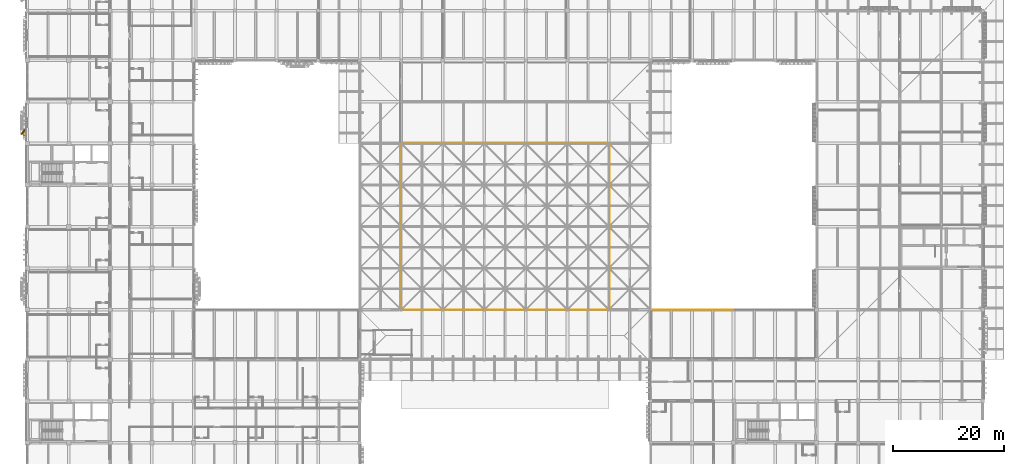
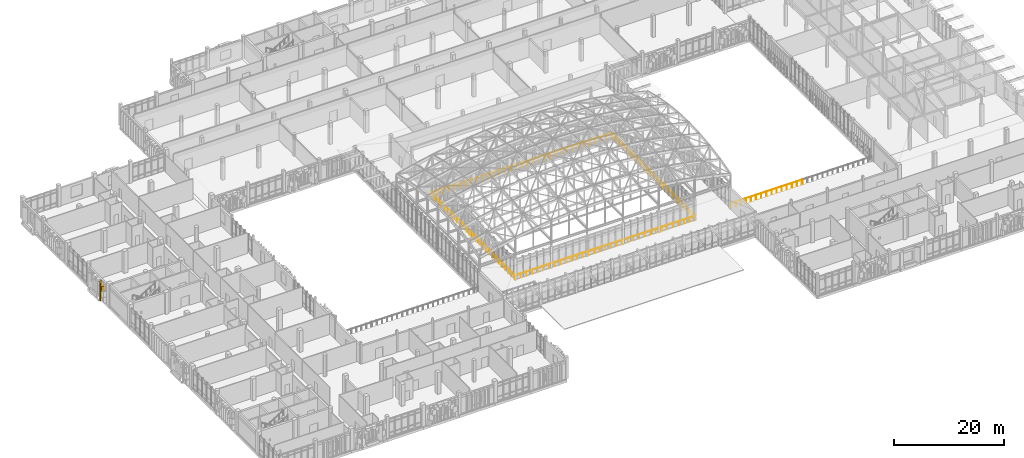
# One storey, part 118 of 131: 6 railings, 2 coverings.
"""IFC4 building model written with IfcOpenShell, lengths in metres."""

from ifc_helpers import new_model, si_unit, direction, frame, origin, origin_2d, place, context, subcontext, project, spatial, rectangle, circle, extrude, material, layer, layer_set, type_object, element, save


model = new_model("IFC4")

# Units and contexts
model_context = context("Model", 3, precision=1e-05, world=origin(), true_north=direction((0.0, 1.0)))
body_context = subcontext(model_context, "Body", "Model", "MODEL_VIEW")
ifc_project = project(units=[si_unit("LENGTHUNIT", "METRE"), si_unit("AREAUNIT", "SQUARE_METRE"), si_unit("VOLUMEUNIT", "CUBIC_METRE"), si_unit("PLANEANGLEUNIT", "RADIAN"), si_unit("MASSUNIT", "GRAM", prefix="KILO")], contexts=[model_context])

# Site, building, storey
site_placement = place(None, origin())
site = spatial("IfcSite", under=ifc_project, at=site_placement, CompositionType="ELEMENT")
building_placement = place(site_placement, origin())
building = spatial("IfcBuilding", under=site, at=building_placement, Name="Dalvernix Boulevard General Hospital", CompositionType="ELEMENT")
storey_placement = place(building_placement, frame((0.0, 0.0, 9.300048828125)))
storey = spatial("IfcBuildingStorey", under=building, at=storey_placement, Name="L02", CompositionType="ELEMENT", Elevation=9.300048828125)

# Coverings
ifc_material_1 = material(Name="Pressed Catalan clay brick and dressed limestone parabolic archivolt", Category="masonry")
ifc_layer_1 = layer(ifc_material_1, 0.419921875)
ifc_layer_set_1 = layer_set([ifc_layer_1], Name="Pressed Catalan clay brick and dressed limestone parabolic archivolt (COV-ARC-01)")
covering_type_1 = type_object("IfcCoveringType", Name="COV-ARC-01", PredefinedType="CLADDING", material=ifc_layer_set_1)
covering_1_placement = place(storey_placement, frame((-0.485107421875, 63.395751953125, 2.0791015625), z_axis=(0.0, 0.0, 1.0), x_axis=(0.0, 1.0, 0.0)))
element("IfcCovering", 1, at=covering_1_placement, inside=storey, type_object=covering_type_1, Name="L02 Catalan parabolic archivolt voussoir W 0-8-2", PredefinedType="CLADDING", context=body_context, shape_type="SweptSolid", body=[
    extrude(rectangle(XDim=0.8623046875, YDim=0.659912109375, at=origin_2d()), origin(), (0.0, 0.0, 1.0), 1.144287109375),
])
ifc_material_2 = material(Name="Polychrome glazed Catalan trencadis ceramic faceted bay spandrel")
ifc_layer_2 = layer(ifc_material_2, 0.280029296875)
ifc_layer_set_2 = layer_set([ifc_layer_2], Name="Polychrome glazed Catalan trencadis ceramic faceted bay spandrel (COV-BAY-01)")
covering_type_2 = type_object("IfcCoveringType", Name="COV-BAY-01", PredefinedType="CLADDING", material=ifc_layer_set_2)
covering_2_placement = place(storey_placement, frame((-0.735107421875, 63.612548828125, 0.079833984375), z_axis=(0.0, 0.0, 1.0), x_axis=(0.559192903471, 0.829037572555, 0.0)))
element("IfcCovering", 2, at=covering_2_placement, inside=storey, type_object=covering_type_2, Name="L02 projecting faceted Catalan bay cheek W 0-8-L", PredefinedType="CLADDING", context=body_context, shape_type="SweptSolid", body=[
    extrude(rectangle(XDim=1.14990234375, YDim=0.239990234375, at=origin_2d()), origin(), (0.0, 0.0, 1.0), 3.7900390625),
])

# Railings
ifc_material_3 = material(Name="Powder-coated galvanized steel balustrade", Category="steel")
railing_type_1 = type_object("IfcRailingType", Name="RL-GR-EXT1", PredefinedType="BALUSTRADE", material=ifc_material_3)
railing_1_placement = place(storey_placement, frame((120.0400390625, 31.5, 0.0)))
element("IfcRailing", 3, at=railing_1_placement, inside=storey, type_object=railing_type_1, Name="L02 terrace safety balustrade 5", PredefinedType="BALUSTRADE", context=body_context, shape_type="SweptSolid", body=[
    extrude(circle(Radius=0.02392578125, at=origin_2d()), frame((0.0, 0.0, 1.09619140625), z_axis=(1.0, 0.0, 0.0), x_axis=(0.0, 1.0, 0.0)), (0.0, 0.0, 1.0), 7.419921875),
    extrude(circle(Radius=0.02099609375, at=origin_2d()), origin(), (0.0, 0.0, 1.0), 1.072021484375),
    extrude(circle(Radius=0.02099609375, at=origin_2d()), frame((1.06005859375, 0.0, 0.0)), (0.0, 0.0, 1.0), 1.072021484375),
    extrude(circle(Radius=0.02099609375, at=origin_2d()), frame((2.119873046875, 0.0, 0.0)), (0.0, 0.0, 1.0), 1.072021484375),
    extrude(circle(Radius=0.02099609375, at=origin_2d()), frame((3.179931640625, 0.0, 0.0)), (0.0, 0.0, 1.0), 1.072021484375),
    extrude(circle(Radius=0.02099609375, at=origin_2d()), frame((4.239990234375, 0.0, 0.0)), (0.0, 0.0, 1.0), 1.072021484375),
    extrude(circle(Radius=0.02099609375, at=origin_2d()), frame((5.300048828125, 0.0, 0.0)), (0.0, 0.0, 1.0), 1.072021484375),
    extrude(circle(Radius=0.02099609375, at=origin_2d()), frame((6.35986328125, 0.0, 0.0)), (0.0, 0.0, 1.0), 1.072021484375),
    extrude(circle(Radius=0.02099609375, at=origin_2d()), frame((7.419921875, 0.0, 0.0)), (0.0, 0.0, 1.0), 1.072021484375),
])
railing_2_placement = place(storey_placement, frame((112.590087890625, 31.5, 0.0)))
element("IfcRailing", 4, at=railing_2_placement, inside=storey, type_object=railing_type_1, Name="L02 terrace safety balustrade 8", PredefinedType="BALUSTRADE", context=body_context, shape_type="SweptSolid", body=[
    extrude(circle(Radius=0.02392578125, at=origin_2d()), frame((0.0, 0.0, 1.09619140625), z_axis=(1.0, 0.0, 0.0), x_axis=(0.0, 1.0, 0.0)), (0.0, 0.0, 1.0), 7.369873046875),
    extrude(circle(Radius=0.02099609375, at=origin_2d()), origin(), (0.0, 0.0, 1.0), 1.072021484375),
    extrude(circle(Radius=0.02099609375, at=origin_2d()), frame((1.052734375, 0.0, 0.0)), (0.0, 0.0, 1.0), 1.072021484375),
    extrude(circle(Radius=0.02099609375, at=origin_2d()), frame((2.105712890625, 0.0, 0.0)), (0.0, 0.0, 1.0), 1.072021484375),
    extrude(circle(Radius=0.02099609375, at=origin_2d()), frame((3.158447265625, 0.0, 0.0)), (0.0, 0.0, 1.0), 1.072021484375),
    extrude(circle(Radius=0.02099609375, at=origin_2d()), frame((4.21142578125, 0.0, 0.0)), (0.0, 0.0, 1.0), 1.072021484375),
    extrude(circle(Radius=0.02099609375, at=origin_2d()), frame((5.26416015625, 0.0, 0.0)), (0.0, 0.0, 1.0), 1.072021484375),
    extrude(circle(Radius=0.02099609375, at=origin_2d()), frame((6.317138671875, 0.0, 0.0)), (0.0, 0.0, 1.0), 1.072021484375),
    extrude(circle(Radius=0.02099609375, at=origin_2d()), frame((7.369873046875, 0.0, 0.0)), (0.0, 0.0, 1.0), 1.072021484375),
])
ifc_material_4 = material(Name="Brushed stainless steel balustrade", Category="steel")
railing_type_2 = type_object("IfcRailingType", Name="RL-GR-INT1", PredefinedType="BALUSTRADE", material=ifc_material_4)
railing_3_placement = place(storey_placement, frame((67.419921875, 31.419921875, 0.0)))
element("IfcRailing", 5, at=railing_3_placement, inside=storey, type_object=railing_type_2, Name="L02 Botanical Conservatory atrium void safety balustrade S", PredefinedType="BALUSTRADE", context=body_context, shape_type="SweptSolid", body=[
    extrude(circle(Radius=0.02392578125, at=origin_2d()), frame((0.0, 0.0, 1.09619140625), z_axis=(1.0, 0.0, 0.0), x_axis=(0.0, 1.0, 0.0)), (0.0, 0.0, 1.0), 37.66015625),
    extrude(circle(Radius=0.02099609375, at=origin_2d()), origin(), (0.0, 0.0, 1.0), 1.072021484375),
    extrude(circle(Radius=0.02099609375, at=origin_2d()), frame((1.1767578125, 0.0, 0.0)), (0.0, 0.0, 1.0), 1.072021484375),
    extrude(circle(Radius=0.02099609375, at=origin_2d()), frame((2.353759765625, 0.0, 0.0)), (0.0, 0.0, 1.0), 1.072021484375),
    extrude(circle(Radius=0.02099609375, at=origin_2d()), frame((3.53076171875, 0.0, 0.0)), (0.0, 0.0, 1.0), 1.072021484375),
    extrude(circle(Radius=0.02099609375, at=origin_2d()), frame((4.70751953125, 0.0, 0.0)), (0.0, 0.0, 1.0), 1.072021484375),
    extrude(circle(Radius=0.02099609375, at=origin_2d()), frame((5.88427734375, 0.0, 0.0)), (0.0, 0.0, 1.0), 1.072021484375),
    extrude(circle(Radius=0.02099609375, at=origin_2d()), frame((7.061279296875, 0.0, 0.0)), (0.0, 0.0, 1.0), 1.072021484375),
    extrude(circle(Radius=0.02099609375, at=origin_2d()), frame((8.23828125, 0.0, 0.0)), (0.0, 0.0, 1.0), 1.072021484375),
    extrude(circle(Radius=0.02099609375, at=origin_2d()), frame((9.4150390625, 0.0, 0.0)), (0.0, 0.0, 1.0), 1.072021484375),
    extrude(circle(Radius=0.02099609375, at=origin_2d()), frame((10.591796875, 0.0, 0.0)), (0.0, 0.0, 1.0), 1.072021484375),
    extrude(circle(Radius=0.02099609375, at=origin_2d()), frame((11.768798828125, 0.0, 0.0)), (0.0, 0.0, 1.0), 1.072021484375),
    extrude(circle(Radius=0.02099609375, at=origin_2d()), frame((12.94580078125, 0.0, 0.0)), (0.0, 0.0, 1.0), 1.072021484375),
    extrude(circle(Radius=0.02099609375, at=origin_2d()), frame((14.12255859375, 0.0, 0.0)), (0.0, 0.0, 1.0), 1.072021484375),
    extrude(circle(Radius=0.02099609375, at=origin_2d()), frame((15.29931640625, 0.0, 0.0)), (0.0, 0.0, 1.0), 1.072021484375),
    extrude(circle(Radius=0.02099609375, at=origin_2d()), frame((16.476318359375, 0.0, 0.0)), (0.0, 0.0, 1.0), 1.072021484375),
    extrude(circle(Radius=0.02099609375, at=origin_2d()), frame((17.6533203125, 0.0, 0.0)), (0.0, 0.0, 1.0), 1.072021484375),
    extrude(circle(Radius=0.02099609375, at=origin_2d()), frame((18.830078125, 0.0, 0.0)), (0.0, 0.0, 1.0), 1.072021484375),
    extrude(circle(Radius=0.02099609375, at=origin_2d()), frame((20.0068359375, 0.0, 0.0)), (0.0, 0.0, 1.0), 1.072021484375),
    extrude(circle(Radius=0.02099609375, at=origin_2d()), frame((21.183837890625, 0.0, 0.0)), (0.0, 0.0, 1.0), 1.072021484375),
    extrude(circle(Radius=0.02099609375, at=origin_2d()), frame((22.36083984375, 0.0, 0.0)), (0.0, 0.0, 1.0), 1.072021484375),
    extrude(circle(Radius=0.02099609375, at=origin_2d()), frame((23.53759765625, 0.0, 0.0)), (0.0, 0.0, 1.0), 1.072021484375),
    extrude(circle(Radius=0.02099609375, at=origin_2d()), frame((24.71435546875, 0.0, 0.0)), (0.0, 0.0, 1.0), 1.072021484375),
    extrude(circle(Radius=0.02099609375, at=origin_2d()), frame((25.891357421875, 0.0, 0.0)), (0.0, 0.0, 1.0), 1.072021484375),
    extrude(circle(Radius=0.02099609375, at=origin_2d()), frame((27.068359375, 0.0, 0.0)), (0.0, 0.0, 1.0), 1.072021484375),
    extrude(circle(Radius=0.02099609375, at=origin_2d()), frame((28.2451171875, 0.0, 0.0)), (0.0, 0.0, 1.0), 1.072021484375),
    extrude(circle(Radius=0.02099609375, at=origin_2d()), frame((29.421875, 0.0, 0.0)), (0.0, 0.0, 1.0), 1.072021484375),
    extrude(circle(Radius=0.02099609375, at=origin_2d()), frame((30.598876953125, 0.0, 0.0)), (0.0, 0.0, 1.0), 1.072021484375),
    extrude(circle(Radius=0.02099609375, at=origin_2d()), frame((31.77587890625, 0.0, 0.0)), (0.0, 0.0, 1.0), 1.072021484375),
    extrude(circle(Radius=0.02099609375, at=origin_2d()), frame((32.95263671875, 0.0, 0.0)), (0.0, 0.0, 1.0), 1.072021484375),
    extrude(circle(Radius=0.02099609375, at=origin_2d()), frame((34.12939453125, 0.0, 0.0)), (0.0, 0.0, 1.0), 1.072021484375),
    extrude(circle(Radius=0.02099609375, at=origin_2d()), frame((35.306396484375, 0.0, 0.0)), (0.0, 0.0, 1.0), 1.072021484375),
    extrude(circle(Radius=0.02099609375, at=origin_2d()), frame((36.4833984375, 0.0, 0.0)), (0.0, 0.0, 1.0), 1.072021484375),
    extrude(circle(Radius=0.02099609375, at=origin_2d()), frame((37.66015625, 0.0, 0.0)), (0.0, 0.0, 1.0), 1.072021484375),
])
railing_4_placement = place(storey_placement, frame((105.1201171875, 31.4599609375, 0.0)))
element("IfcRailing", 6, at=railing_4_placement, inside=storey, type_object=railing_type_2, Name="L02 Botanical Conservatory atrium void safety balustrade E", PredefinedType="BALUSTRADE", context=body_context, shape_type="SweptSolid", body=[
    extrude(circle(Radius=0.02392578125, at=origin_2d()), frame((0.0, 0.0, 1.09619140625), z_axis=(0.0, 1.0, 0.0), x_axis=(-1.0, 0.0, 0.0)), (0.0, 0.0, 1.0), 30.080078125),
    extrude(circle(Radius=0.02099609375, at=origin_2d()), origin(), (0.0, 0.0, 1.0), 1.072021484375),
    extrude(circle(Radius=0.02099609375, at=origin_2d()), frame((0.0, 1.156982421875, 0.0)), (0.0, 0.0, 1.0), 1.072021484375),
    extrude(circle(Radius=0.02099609375, at=origin_2d()), frame((0.0, 2.31396484375, 0.0)), (0.0, 0.0, 1.0), 1.072021484375),
    extrude(circle(Radius=0.02099609375, at=origin_2d()), frame((0.0, 3.470703125, 0.0)), (0.0, 0.0, 1.0), 1.072021484375),
    extrude(circle(Radius=0.02099609375, at=origin_2d()), frame((0.0, 4.627685546875, 0.0)), (0.0, 0.0, 1.0), 1.072021484375),
    extrude(circle(Radius=0.02099609375, at=origin_2d()), frame((0.0, 5.78466796875, 0.0)), (0.0, 0.0, 1.0), 1.072021484375),
    extrude(circle(Radius=0.02099609375, at=origin_2d()), frame((0.0, 6.941650390625, 0.0)), (0.0, 0.0, 1.0), 1.072021484375),
    extrude(circle(Radius=0.02099609375, at=origin_2d()), frame((0.0, 8.098388671875, 0.0)), (0.0, 0.0, 1.0), 1.072021484375),
    extrude(circle(Radius=0.02099609375, at=origin_2d()), frame((0.0, 9.25537109375, 0.0)), (0.0, 0.0, 1.0), 1.072021484375),
    extrude(circle(Radius=0.02099609375, at=origin_2d()), frame((0.0, 10.412353515625, 0.0)), (0.0, 0.0, 1.0), 1.072021484375),
    extrude(circle(Radius=0.02099609375, at=origin_2d()), frame((0.0, 11.5693359375, 0.0)), (0.0, 0.0, 1.0), 1.072021484375),
    extrude(circle(Radius=0.02099609375, at=origin_2d()), frame((0.0, 12.72607421875, 0.0)), (0.0, 0.0, 1.0), 1.072021484375),
    extrude(circle(Radius=0.02099609375, at=origin_2d()), frame((0.0, 13.883056640625, 0.0)), (0.0, 0.0, 1.0), 1.072021484375),
    extrude(circle(Radius=0.02099609375, at=origin_2d()), frame((0.0, 15.0400390625, 0.0)), (0.0, 0.0, 1.0), 1.072021484375),
    extrude(circle(Radius=0.02099609375, at=origin_2d()), frame((0.0, 16.197021484375, 0.0)), (0.0, 0.0, 1.0), 1.072021484375),
    extrude(circle(Radius=0.02099609375, at=origin_2d()), frame((0.0, 17.35400390625, 0.0)), (0.0, 0.0, 1.0), 1.072021484375),
    extrude(circle(Radius=0.02099609375, at=origin_2d()), frame((0.0, 18.5107421875, 0.0)), (0.0, 0.0, 1.0), 1.072021484375),
    extrude(circle(Radius=0.02099609375, at=origin_2d()), frame((0.0, 19.667724609375, 0.0)), (0.0, 0.0, 1.0), 1.072021484375),
    extrude(circle(Radius=0.02099609375, at=origin_2d()), frame((0.0, 20.82470703125, 0.0)), (0.0, 0.0, 1.0), 1.072021484375),
    extrude(circle(Radius=0.02099609375, at=origin_2d()), frame((0.0, 21.981689453125, 0.0)), (0.0, 0.0, 1.0), 1.072021484375),
    extrude(circle(Radius=0.02099609375, at=origin_2d()), frame((0.0, 23.138427734375, 0.0)), (0.0, 0.0, 1.0), 1.072021484375),
    extrude(circle(Radius=0.02099609375, at=origin_2d()), frame((0.0, 24.29541015625, 0.0)), (0.0, 0.0, 1.0), 1.072021484375),
    extrude(circle(Radius=0.02099609375, at=origin_2d()), frame((0.0, 25.452392578125, 0.0)), (0.0, 0.0, 1.0), 1.072021484375),
    extrude(circle(Radius=0.02099609375, at=origin_2d()), frame((0.0, 26.609375, 0.0)), (0.0, 0.0, 1.0), 1.072021484375),
    extrude(circle(Radius=0.02099609375, at=origin_2d()), frame((0.0, 27.76611328125, 0.0)), (0.0, 0.0, 1.0), 1.072021484375),
    extrude(circle(Radius=0.02099609375, at=origin_2d()), frame((0.0, 28.923095703125, 0.0)), (0.0, 0.0, 1.0), 1.072021484375),
    extrude(circle(Radius=0.02099609375, at=origin_2d()), frame((0.0, 30.080078125, 0.0)), (0.0, 0.0, 1.0), 1.072021484375),
])
railing_5_placement = place(storey_placement, frame((105.080078125, 61.580078125, 0.0)))
element("IfcRailing", 7, at=railing_5_placement, inside=storey, type_object=railing_type_2, Name="L02 Botanical Conservatory atrium void safety balustrade N", PredefinedType="BALUSTRADE", context=body_context, shape_type="SweptSolid", body=[
    extrude(circle(Radius=0.02392578125, at=origin_2d()), frame((0.0, 0.0, 1.09619140625), z_axis=(-1.0, 0.0, 0.0), x_axis=(0.0, -1.0, 0.0)), (0.0, 0.0, 1.0), 37.66015625),
    extrude(circle(Radius=0.02099609375, at=origin_2d()), origin(), (0.0, 0.0, 1.0), 1.072021484375),
    extrude(circle(Radius=0.02099609375, at=origin_2d()), frame((-1.1767578125, 0.0, 0.0)), (0.0, 0.0, 1.0), 1.072021484375),
    extrude(circle(Radius=0.02099609375, at=origin_2d()), frame((-2.353759765625, 0.0, 0.0)), (0.0, 0.0, 1.0), 1.072021484375),
    extrude(circle(Radius=0.02099609375, at=origin_2d()), frame((-3.53076171875, 0.0, 0.0)), (0.0, 0.0, 1.0), 1.072021484375),
    extrude(circle(Radius=0.02099609375, at=origin_2d()), frame((-4.70751953125, 0.0, 0.0)), (0.0, 0.0, 1.0), 1.072021484375),
    extrude(circle(Radius=0.02099609375, at=origin_2d()), frame((-5.88427734375, 0.0, 0.0)), (0.0, 0.0, 1.0), 1.072021484375),
    extrude(circle(Radius=0.02099609375, at=origin_2d()), frame((-7.061279296875, 0.0, 0.0)), (0.0, 0.0, 1.0), 1.072021484375),
    extrude(circle(Radius=0.02099609375, at=origin_2d()), frame((-8.23828125, 0.0, 0.0)), (0.0, 0.0, 1.0), 1.072021484375),
    extrude(circle(Radius=0.02099609375, at=origin_2d()), frame((-9.4150390625, 0.0, 0.0)), (0.0, 0.0, 1.0), 1.072021484375),
    extrude(circle(Radius=0.02099609375, at=origin_2d()), frame((-10.591796875, 0.0, 0.0)), (0.0, 0.0, 1.0), 1.072021484375),
    extrude(circle(Radius=0.02099609375, at=origin_2d()), frame((-11.768798828125, 0.0, 0.0)), (0.0, 0.0, 1.0), 1.072021484375),
    extrude(circle(Radius=0.02099609375, at=origin_2d()), frame((-12.94580078125, 0.0, 0.0)), (0.0, 0.0, 1.0), 1.072021484375),
    extrude(circle(Radius=0.02099609375, at=origin_2d()), frame((-14.12255859375, 0.0, 0.0)), (0.0, 0.0, 1.0), 1.072021484375),
    extrude(circle(Radius=0.02099609375, at=origin_2d()), frame((-15.29931640625, 0.0, 0.0)), (0.0, 0.0, 1.0), 1.072021484375),
    extrude(circle(Radius=0.02099609375, at=origin_2d()), frame((-16.476318359375, 0.0, 0.0)), (0.0, 0.0, 1.0), 1.072021484375),
    extrude(circle(Radius=0.02099609375, at=origin_2d()), frame((-17.6533203125, 0.0, 0.0)), (0.0, 0.0, 1.0), 1.072021484375),
    extrude(circle(Radius=0.02099609375, at=origin_2d()), frame((-18.830078125, 0.0, 0.0)), (0.0, 0.0, 1.0), 1.072021484375),
    extrude(circle(Radius=0.02099609375, at=origin_2d()), frame((-20.0068359375, 0.0, 0.0)), (0.0, 0.0, 1.0), 1.072021484375),
    extrude(circle(Radius=0.02099609375, at=origin_2d()), frame((-21.183837890625, 0.0, 0.0)), (0.0, 0.0, 1.0), 1.072021484375),
    extrude(circle(Radius=0.02099609375, at=origin_2d()), frame((-22.36083984375, 0.0, 0.0)), (0.0, 0.0, 1.0), 1.072021484375),
    extrude(circle(Radius=0.02099609375, at=origin_2d()), frame((-23.53759765625, 0.0, 0.0)), (0.0, 0.0, 1.0), 1.072021484375),
    extrude(circle(Radius=0.02099609375, at=origin_2d()), frame((-24.71435546875, 0.0, 0.0)), (0.0, 0.0, 1.0), 1.072021484375),
    extrude(circle(Radius=0.02099609375, at=origin_2d()), frame((-25.891357421875, 0.0, 0.0)), (0.0, 0.0, 1.0), 1.072021484375),
    extrude(circle(Radius=0.02099609375, at=origin_2d()), frame((-27.068359375, 0.0, 0.0)), (0.0, 0.0, 1.0), 1.072021484375),
    extrude(circle(Radius=0.02099609375, at=origin_2d()), frame((-28.2451171875, 0.0, 0.0)), (0.0, 0.0, 1.0), 1.072021484375),
    extrude(circle(Radius=0.02099609375, at=origin_2d()), frame((-29.421875, 0.0, 0.0)), (0.0, 0.0, 1.0), 1.072021484375),
    extrude(circle(Radius=0.02099609375, at=origin_2d()), frame((-30.598876953125, 0.0, 0.0)), (0.0, 0.0, 1.0), 1.072021484375),
    extrude(circle(Radius=0.02099609375, at=origin_2d()), frame((-31.77587890625, 0.0, 0.0)), (0.0, 0.0, 1.0), 1.072021484375),
    extrude(circle(Radius=0.02099609375, at=origin_2d()), frame((-32.95263671875, 0.0, 0.0)), (0.0, 0.0, 1.0), 1.072021484375),
    extrude(circle(Radius=0.02099609375, at=origin_2d()), frame((-34.12939453125, 0.0, 0.0)), (0.0, 0.0, 1.0), 1.072021484375),
    extrude(circle(Radius=0.02099609375, at=origin_2d()), frame((-35.306396484375, 0.0, 0.0)), (0.0, 0.0, 1.0), 1.072021484375),
    extrude(circle(Radius=0.02099609375, at=origin_2d()), frame((-36.4833984375, 0.0, 0.0)), (0.0, 0.0, 1.0), 1.072021484375),
    extrude(circle(Radius=0.02099609375, at=origin_2d()), frame((-37.66015625, 0.0, 0.0)), (0.0, 0.0, 1.0), 1.072021484375),
])
railing_6_placement = place(storey_placement, frame((67.3798828125, 61.5400390625, 0.0)))
element("IfcRailing", 8, at=railing_6_placement, inside=storey, type_object=railing_type_2, Name="L02 Botanical Conservatory atrium void safety balustrade W", PredefinedType="BALUSTRADE", context=body_context, shape_type="SweptSolid", body=[
    extrude(circle(Radius=0.02392578125, at=origin_2d()), frame((0.0, 0.0, 1.09619140625), z_axis=(0.0, -1.0, 0.0), x_axis=(1.0, 0.0, 0.0)), (0.0, 0.0, 1.0), 30.080078125),
    extrude(circle(Radius=0.02099609375, at=origin_2d()), origin(), (0.0, 0.0, 1.0), 1.072021484375),
    extrude(circle(Radius=0.02099609375, at=origin_2d()), frame((0.0, -1.156982421875, 0.0)), (0.0, 0.0, 1.0), 1.072021484375),
    extrude(circle(Radius=0.02099609375, at=origin_2d()), frame((0.0, -2.31396484375, 0.0)), (0.0, 0.0, 1.0), 1.072021484375),
    extrude(circle(Radius=0.02099609375, at=origin_2d()), frame((0.0, -3.470703125, 0.0)), (0.0, 0.0, 1.0), 1.072021484375),
    extrude(circle(Radius=0.02099609375, at=origin_2d()), frame((0.0, -4.627685546875, 0.0)), (0.0, 0.0, 1.0), 1.072021484375),
    extrude(circle(Radius=0.02099609375, at=origin_2d()), frame((0.0, -5.78466796875, 0.0)), (0.0, 0.0, 1.0), 1.072021484375),
    extrude(circle(Radius=0.02099609375, at=origin_2d()), frame((0.0, -6.941650390625, 0.0)), (0.0, 0.0, 1.0), 1.072021484375),
    extrude(circle(Radius=0.02099609375, at=origin_2d()), frame((0.0, -8.098388671875, 0.0)), (0.0, 0.0, 1.0), 1.072021484375),
    extrude(circle(Radius=0.02099609375, at=origin_2d()), frame((0.0, -9.25537109375, 0.0)), (0.0, 0.0, 1.0), 1.072021484375),
    extrude(circle(Radius=0.02099609375, at=origin_2d()), frame((0.0, -10.412353515625, 0.0)), (0.0, 0.0, 1.0), 1.072021484375),
    extrude(circle(Radius=0.02099609375, at=origin_2d()), frame((0.0, -11.5693359375, 0.0)), (0.0, 0.0, 1.0), 1.072021484375),
    extrude(circle(Radius=0.02099609375, at=origin_2d()), frame((0.0, -12.72607421875, 0.0)), (0.0, 0.0, 1.0), 1.072021484375),
    extrude(circle(Radius=0.02099609375, at=origin_2d()), frame((0.0, -13.883056640625, 0.0)), (0.0, 0.0, 1.0), 1.072021484375),
    extrude(circle(Radius=0.02099609375, at=origin_2d()), frame((0.0, -15.0400390625, 0.0)), (0.0, 0.0, 1.0), 1.072021484375),
    extrude(circle(Radius=0.02099609375, at=origin_2d()), frame((0.0, -16.197021484375, 0.0)), (0.0, 0.0, 1.0), 1.072021484375),
    extrude(circle(Radius=0.02099609375, at=origin_2d()), frame((0.0, -17.35400390625, 0.0)), (0.0, 0.0, 1.0), 1.072021484375),
    extrude(circle(Radius=0.02099609375, at=origin_2d()), frame((0.0, -18.5107421875, 0.0)), (0.0, 0.0, 1.0), 1.072021484375),
    extrude(circle(Radius=0.02099609375, at=origin_2d()), frame((0.0, -19.667724609375, 0.0)), (0.0, 0.0, 1.0), 1.072021484375),
    extrude(circle(Radius=0.02099609375, at=origin_2d()), frame((0.0, -20.82470703125, 0.0)), (0.0, 0.0, 1.0), 1.072021484375),
    extrude(circle(Radius=0.02099609375, at=origin_2d()), frame((0.0, -21.981689453125, 0.0)), (0.0, 0.0, 1.0), 1.072021484375),
    extrude(circle(Radius=0.02099609375, at=origin_2d()), frame((0.0, -23.138427734375, 0.0)), (0.0, 0.0, 1.0), 1.072021484375),
    extrude(circle(Radius=0.02099609375, at=origin_2d()), frame((0.0, -24.29541015625, 0.0)), (0.0, 0.0, 1.0), 1.072021484375),
    extrude(circle(Radius=0.02099609375, at=origin_2d()), frame((0.0, -25.452392578125, 0.0)), (0.0, 0.0, 1.0), 1.072021484375),
    extrude(circle(Radius=0.02099609375, at=origin_2d()), frame((0.0, -26.609375, 0.0)), (0.0, 0.0, 1.0), 1.072021484375),
    extrude(circle(Radius=0.02099609375, at=origin_2d()), frame((0.0, -27.76611328125, 0.0)), (0.0, 0.0, 1.0), 1.072021484375),
    extrude(circle(Radius=0.02099609375, at=origin_2d()), frame((0.0, -28.923095703125, 0.0)), (0.0, 0.0, 1.0), 1.072021484375),
    extrude(circle(Radius=0.02099609375, at=origin_2d()), frame((0.0, -30.080078125, 0.0)), (0.0, 0.0, 1.0), 1.072021484375),
])

save(model, "model.ifc")
